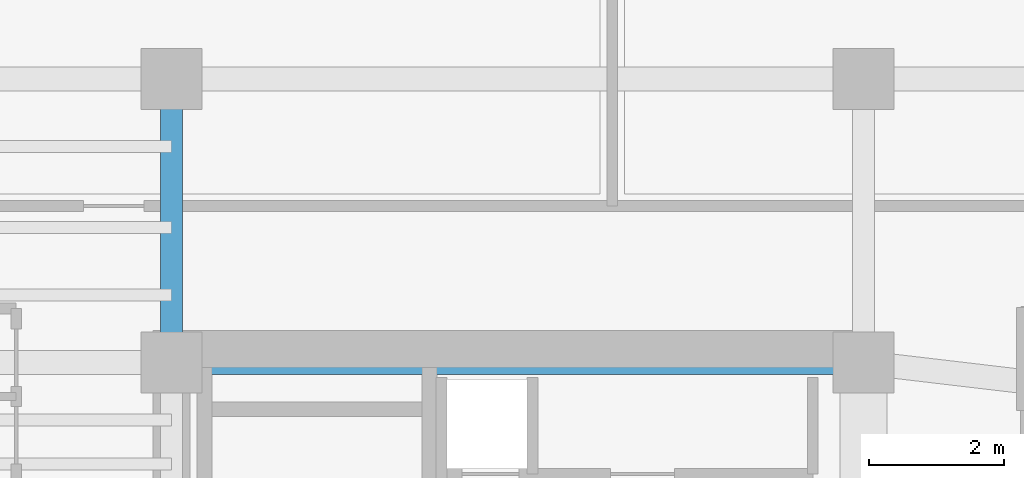
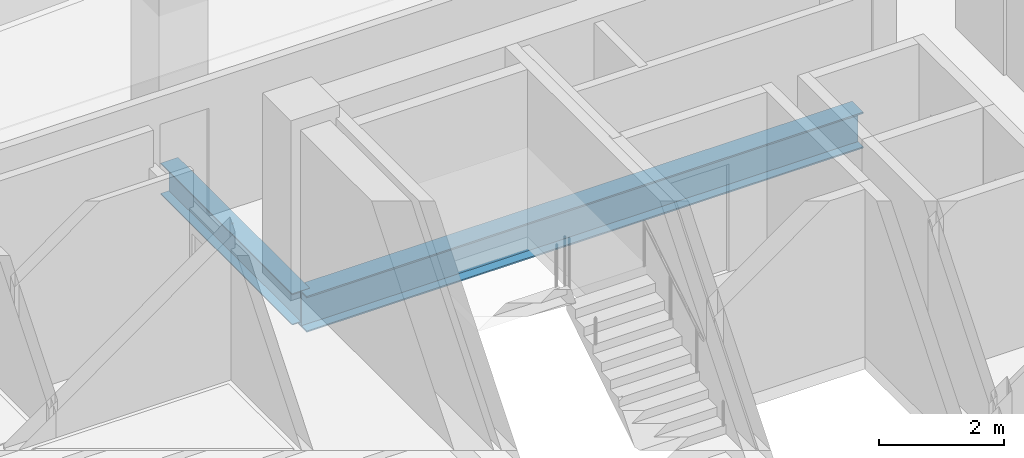
# One storey, part 10 of 22: 2 beams.
"""IFC4 building model written with IfcOpenShell, lengths in metres."""

import ifcopenshell
import ifcopenshell.guid

model = None  # the IFC model being written
_history = None  # IfcOwnerHistory: only IFC2X3 demands one
_inside = {}  # id of a spatial element -> (the spatial element, [elements in it])
_under = {}  # id of a project, library or spatial element -> (it, [spatial elements below it])
_declared = {}  # id of a project -> (the project, [libraries it declares])
_typed = {}  # id of a type object -> (the type object, [elements of that type])
_made_of = {}  # id of a material, layer set ... -> (it, [elements and type objects made of it])


def new_model(schema):
    """Start an empty IFC model of exactly this schema.

    Asked for "IFC4X3", IfcOpenShell would pick the latest addendum, in which some entities
    have other attributes; the version numbers below select the first issue.
    IFC2X3 requires an IfcOwnerHistory on every rooted entity: one is made here for all.
    """
    global model, _history
    if schema == "IFC4X3":
        model = ifcopenshell.file(schema_version=(4, 3, 0, 0))
    else:
        model = ifcopenshell.file(schema=schema)
    _inside.clear()
    _under.clear()
    _declared.clear()
    _typed.clear()
    _made_of.clear()
    _history = None
    if model.schema == "IFC2X3":
        org = make("IfcOrganization", Name="unknown")
        user = make(
            "IfcPersonAndOrganization",
            ThePerson=make("IfcPerson", FamilyName="unknown"),
            TheOrganization=org,
        )
        app = make(
            "IfcApplication",
            ApplicationDeveloper=org,
            Version="unknown",
            ApplicationFullName="unknown",
            ApplicationIdentifier="unknown",
        )
        _history = make(
            "IfcOwnerHistory",
            OwningUser=user,
            OwningApplication=app,
            ChangeAction="ADDED",
            CreationDate=0,
        )
    return model


def make(cls, **values):
    """One entity of the class cls with the attributes given. An attribute that is None is left unset."""
    return model.create_entity(
        cls, **{name: value for name, value in values.items() if value is not None}
    )


def rooted(cls, **values):
    """An entity with a GlobalId (a new one), such as an element, a storey or a relation."""
    return make(cls, GlobalId=ifcopenshell.guid.new(), OwnerHistory=_history, **values)


def si_unit(unit_type, name, prefix=None):
    """IfcSIUnit, for example si_unit("LENGTHUNIT", "METRE", prefix="MILLI")."""
    return make("IfcSIUnit", UnitType=unit_type, Prefix=prefix, Name=name)


def assignment(units):
    """IfcUnitAssignment: the units of a project."""
    return None if units is None else make("IfcUnitAssignment", Units=units)


def point(xyz):
    """IfcCartesianPoint."""
    return None if xyz is None else make("IfcCartesianPoint", Coordinates=xyz)


def direction(xyz):
    """IfcDirection."""
    return None if xyz is None else make("IfcDirection", DirectionRatios=xyz)


def frame(location, z_axis=None, x_axis=None):
    """IfcAxis2Placement3D, a coordinate frame: its origin and axes. An axis left out is left unset."""
    return make(
        "IfcAxis2Placement3D",
        Location=point(location),
        Axis=direction(z_axis),
        RefDirection=direction(x_axis),
    )


def frame_2d(location, x_axis=None):
    """IfcAxis2Placement2D, a coordinate frame in the plane: its origin and x axis."""
    return make(
        "IfcAxis2Placement2D", Location=point(location), RefDirection=direction(x_axis)
    )


def origin():
    """The frame at (0, 0, 0) with its axes left unset."""
    return frame((0.0, 0.0, 0.0))


def origin_2d():
    """The frame at (0, 0) in the plane with its x axis left unset."""
    return frame_2d((0.0, 0.0))


def place(relative_to, where):
    """IfcLocalPlacement: puts the frame where relative to a parent placement (None: the world)."""
    return make(
        "IfcLocalPlacement", PlacementRelTo=relative_to, RelativePlacement=where
    )


def context(
    kind, dimensions, precision=None, world=None, true_north=None, identifier=None
):
    """IfcGeometricRepresentationContext, for example the 3D "Model" context."""
    return make(
        "IfcGeometricRepresentationContext",
        ContextIdentifier=identifier,
        ContextType=kind,
        CoordinateSpaceDimension=dimensions,
        Precision=precision,
        WorldCoordinateSystem=world,
        TrueNorth=true_north,
    )


def subcontext(parent, identifier, kind, view, scale=None):
    """IfcGeometricRepresentationSubContext, for example "Body" below "Model"."""
    return make(
        "IfcGeometricRepresentationSubContext",
        ContextIdentifier=identifier,
        ContextType=kind,
        ParentContext=parent,
        TargetScale=scale,
        TargetView=view,
    )


def project(units=None, contexts=None):
    """IfcProject with its units and contexts."""
    return rooted(
        "IfcProject",
        Name="project",
        RepresentationContexts=contexts,
        UnitsInContext=assignment(units),
    )


def spatial(cls, under=None, at=None, **own):
    """A site, building, storey or space (cls), placed at a placement, below another one or the project."""
    s = rooted(cls, ObjectPlacement=at, **own)
    if under is not None:
        _under.setdefault(under.id(), (under, []))[1].append(s)
    return s


def profile(cls, at=None, kind="AREA", **sizes):
    """A parametric profile (cls). Its sizes go by their IFC names, for example OverallWidth=200.0."""
    return make(cls, ProfileType=kind, Position=at, **sizes)


def i_section(**sizes):
    """IfcIShapeProfileDef."""
    return profile("IfcIShapeProfileDef", **sizes)


def extrude(swept, where, along, depth):
    """IfcExtrudedAreaSolid: the profile swept, set in the frame where, extruded along a direction by depth."""
    return make(
        "IfcExtrudedAreaSolid",
        SweptArea=swept,
        Position=where,
        ExtrudedDirection=direction(along),
        Depth=depth,
    )


def shape(context_of_items, identifier, shape_type, items):
    """IfcShapeRepresentation: the items that make up one representation, for example the "Body"."""
    return make(
        "IfcShapeRepresentation",
        ContextOfItems=context_of_items,
        RepresentationIdentifier=identifier,
        RepresentationType=shape_type,
        Items=items,
    )


def source(mapping_origin, context_of_items, identifier, shape_type, items):
    """IfcRepresentationMap: a shape defined once, which mapped items show again and again."""
    return make(
        "IfcRepresentationMap",
        MappingOrigin=mapping_origin,
        MappedRepresentation=shape(context_of_items, identifier, shape_type, items),
    )


def transform(
    local_origin,
    x_axis=None,
    y_axis=None,
    z_axis=None,
    scale=None,
    scale2=None,
    scale3=None,
    uniform=True,
):
    """IfcCartesianTransformationOperator3D, or its non-uniform kind. x_axis, y_axis, z_axis: its Axis1, 2, 3."""
    if uniform:
        return make(
            "IfcCartesianTransformationOperator3D",
            Axis1=direction(x_axis),
            Axis2=direction(y_axis),
            LocalOrigin=point(local_origin),
            Scale=scale,
            Axis3=direction(z_axis),
        )
    return make(
        "IfcCartesianTransformationOperator3DnonUniform",
        Axis1=direction(x_axis),
        Axis2=direction(y_axis),
        LocalOrigin=point(local_origin),
        Scale=scale,
        Axis3=direction(z_axis),
        Scale2=scale2,
        Scale3=scale3,
    )


def mapped(mapping_source, mapping_target):
    """IfcMappedItem: shows the shape of a source again, moved by a transform."""
    return make(
        "IfcMappedItem", MappingSource=mapping_source, MappingTarget=mapping_target
    )


def material(Name=None, Category=None):
    """IfcMaterial."""
    return make("IfcMaterial", Name=Name, Category=Category)


def material_profile(
    of_material, cross_section, Name=None, Category=None, Priority=None
):
    """IfcMaterialProfile: a cross section and its material."""
    return make(
        "IfcMaterialProfile",
        Name=Name,
        Material=of_material,
        Profile=cross_section,
        Priority=Priority,
        Category=Category,
    )


def profile_set(profiles, Name=None, composite=None):
    """IfcMaterialProfileSet."""
    return make(
        "IfcMaterialProfileSet",
        Name=Name,
        MaterialProfiles=profiles,
        CompositeProfile=composite,
    )


def made_of(thing, what):
    """Note that an element or type object is made of a material, layer set ...; save() writes the relation."""
    if what is not None:
        _made_of.setdefault(what.id(), (what, []))[1].append(thing)
    return thing


def type_object(cls, material=None, **own):
    """A type object (cls), such as IfcWallType, which elements share."""
    return made_of(rooted(cls, **own), material)


def element(
    cls,
    number,
    at=None,
    inside=None,
    cuts=None,
    type_object=None,
    material=None,
    context=None,
    identifier="Body",
    shape_type=None,
    held_by="IfcProductDefinitionShape",
    body=None,
    shapes=None,
    **own,
):
    """One element of the class cls, such as IfcWall. Its Tag is "e" and its number.

    at: its placement. inside: the storey or other place that contains it. cuts: it is an
    opening in that element (IfcRelVoidsElement). A single representation is given by context,
    identifier, shape_type and body (its items); several are given by shapes. held_by: the class
    of the entity that holds the representations. save() writes the other relations.
    """
    e = rooted(cls, Tag="e%d" % number, ObjectPlacement=at, **own)
    if body is not None:
        shapes = [shape(context, identifier, shape_type, body)]
    if shapes is not None:
        e.Representation = make(held_by, Representations=shapes)
    if inside is not None:
        _inside.setdefault(inside.id(), (inside, []))[1].append(e)
    if cuts is not None:
        rooted(
            "IfcRelVoidsElement", RelatingBuildingElement=cuts, RelatedOpeningElement=e
        )
    if type_object is not None:
        _typed.setdefault(type_object.id(), (type_object, []))[1].append(e)
    return made_of(e, material)


def aggregate(whole, parts):
    """IfcRelAggregates: a whole, such as a stair, and the parts it consists of."""
    return rooted("IfcRelAggregates", RelatingObject=whole, RelatedObjects=parts)


def save(model, path):
    """Write the relations noted so far, then the file.

    IfcRelAggregates (storeys below a building ...), IfcRelContainedInSpatialStructure (elements
    in a storey), IfcRelDefinesByType, IfcRelAssociatesMaterial and IfcRelDeclares: one each for
    every whole, place, type object, material and project.
    """
    for whole, parts in _under.values():
        aggregate(whole, parts)
    for where, things in _inside.values():
        rooted(
            "IfcRelContainedInSpatialStructure",
            RelatedElements=things,
            RelatingStructure=where,
        )
    for kind, things in _typed.values():
        rooted("IfcRelDefinesByType", RelatedObjects=things, RelatingType=kind)
    for what, things in _made_of.values():
        rooted("IfcRelAssociatesMaterial", RelatedObjects=things, RelatingMaterial=what)
    for by, libraries in _declared.values():
        rooted("IfcRelDeclares", RelatingContext=by, RelatedDefinitions=libraries)
    model.write(path)


model = new_model("IFC4")

# Units and contexts
model_context = context("Model", 3, precision=1e-05, world=origin(), true_north=direction((0.0, 1.0)))
body_context = subcontext(model_context, "Body", "Model", "MODEL_VIEW")
ifc_project = project(units=[si_unit("LENGTHUNIT", "METRE"), si_unit("AREAUNIT", "SQUARE_METRE"), si_unit("VOLUMEUNIT", "CUBIC_METRE"), si_unit("PLANEANGLEUNIT", "RADIAN"), si_unit("MASSUNIT", "GRAM", prefix="KILO")], contexts=[model_context])

# Site, building, storey
site_placement = place(None, origin())
site = spatial("IfcSite", under=ifc_project, at=site_placement, CompositionType="ELEMENT")
building_placement = place(site_placement, origin())
building = spatial("IfcBuilding", under=site, at=building_placement, Name="Valdorenza Pilgrim Sanctuary Tower", CompositionType="ELEMENT")
storey_placement = place(building_placement, frame((0.0, 0.0, 233.5)))
storey = spatial("IfcBuildingStorey", under=building, at=storey_placement, Name="L60", CompositionType="ELEMENT", Elevation=233.5)

# Beams
ifc_material = material(Name="Steel ASTM A992 Grade 50", Category="steel")
ifc_material_profile_1 = material_profile(ifc_material, i_section(OverallWidth=0.323974609375, OverallDepth=0.611083984375, WebThickness=0.0126953125, FlangeThickness=0.01904296875, at=origin_2d()), Name="W24X104")
ifc_profile_set_1 = profile_set([ifc_material_profile_1], Name="Steel ASTM A992 Grade 50")
beam_type_1 = type_object("IfcBeamType", Name="STR-BM-GRD-W24B", PredefinedType="BEAM", material=ifc_profile_set_1)
shared_shape_1 = source(origin(), body_context, "Body", "SweptSolid", [
    extrude(i_section(OverallWidth=0.323974609375, OverallDepth=0.611083984375, WebThickness=0.0126953125, FlangeThickness=0.01904296875, at=origin_2d()), origin(), (0.0, 0.0, 1.0), 4.199951171875),
])
beam_1_placement = place(storey_placement, frame((-22.64990234375, 10.60009765625, -0.54541015625), z_axis=(0.0, 1.0, 0.0), x_axis=(-1.0, 0.0, 0.0)))
element("IfcBeam", 1, at=beam_1_placement, inside=storey, type_object=beam_type_1, Name="L60 Core Tie Girder CA-W-N1N2", PredefinedType="BEAM", context=body_context, shape_type="MappedRepresentation", body=[
    mapped(shared_shape_1, transform((0.0, 0.0, 0.0), x_axis=(1.0, 0.0, 0.0), y_axis=(0.0, 1.0, 0.0), z_axis=(0.0, 0.0, 1.0), scale=1.0)),
])
ifc_material_profile_2 = material_profile(ifc_material, i_section(OverallWidth=0.35595703125, OverallDepth=0.700927734375, WebThickness=0.016845703125, FlangeThickness=0.02734375, at=origin_2d()), Name="W27X161")
ifc_profile_set_2 = profile_set([ifc_material_profile_2], Name="Steel ASTM A992 Grade 50")
beam_type_2 = type_object("IfcBeamType", Name="STR-BM-GRD-W27", PredefinedType="BEAM", material=ifc_profile_set_2)
shared_shape_2 = source(origin(), body_context, "Body", "SweptSolid", [
    extrude(i_section(OverallWidth=0.35595703125, OverallDepth=0.700927734375, WebThickness=0.016845703125, FlangeThickness=0.02734375, at=origin_2d()), origin(), (0.0, 0.0, 1.0), 10.25),
])
beam_2_placement = place(storey_placement, frame((-22.64990234375, 10.60009765625, -0.590576171875), z_axis=(1.0, 0.0, 0.0), x_axis=(0.0, 1.0, 0.0)))
element("IfcBeam", 2, at=beam_2_placement, inside=storey, type_object=beam_type_2, Name="L60 Floor Girder CA-XC-N1", PredefinedType="BEAM", context=body_context, shape_type="MappedRepresentation", body=[
    mapped(shared_shape_2, transform((0.0, 0.0, 0.0), x_axis=(1.0, 0.0, 0.0), y_axis=(0.0, 1.0, 0.0), z_axis=(0.0, 0.0, 1.0), scale=1.0)),
])

save(model, "model.ifc")
